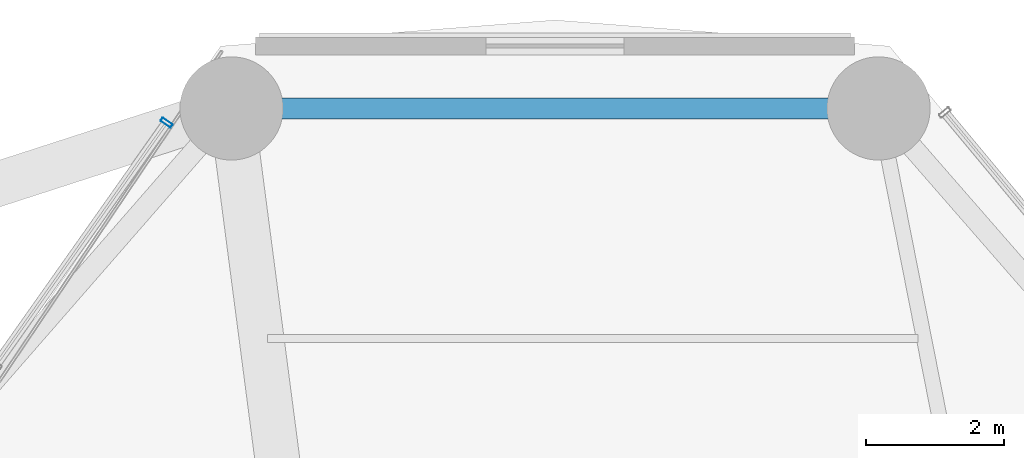
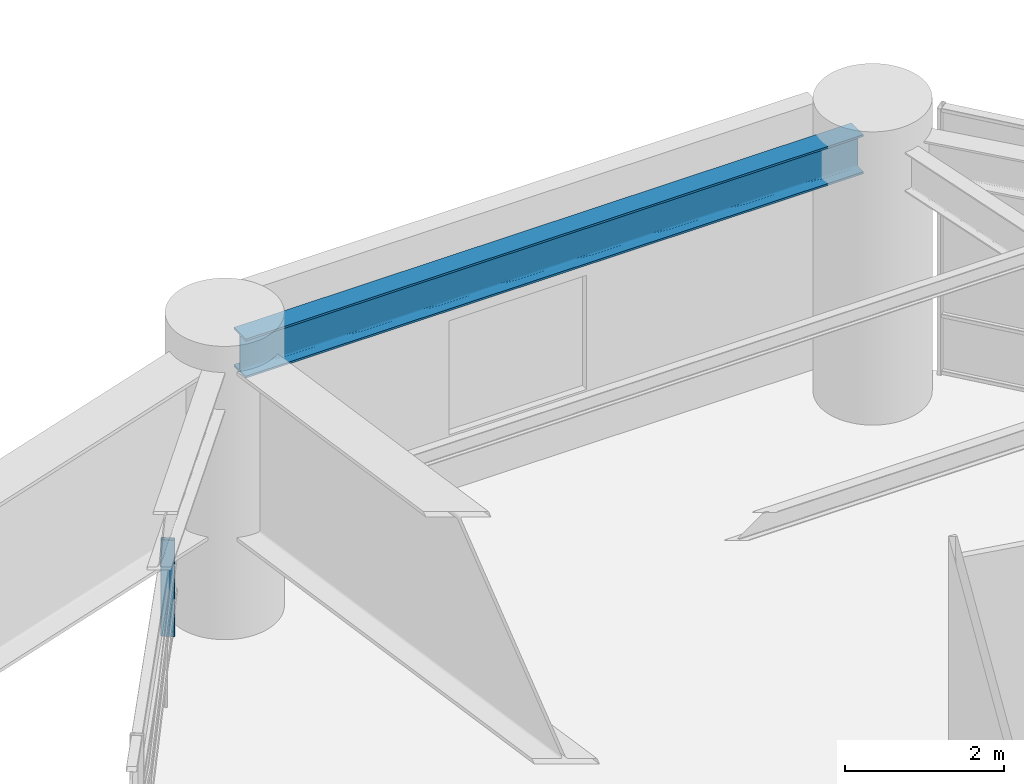
# One storey, part 35 of 53: 1 beam, 1 member, 1 element without a shape of its own.
"""IFC4 building model written with IfcOpenShell, lengths in metres."""

from ifc_helpers import new_model, si_unit, direction, frame, origin, origin_2d, place, context, subcontext, project, spatial, hollow_rectangle, i_section, extrude, material, layer, layer_set, material_profile, profile_set, type_object, element, aggregate, save


model = new_model("IFC4")

# Units and contexts
model_context = context("Model", 3, precision=1e-05, world=origin(), true_north=direction((0.0, 1.0)))
body_context = subcontext(model_context, "Body", "Model", "MODEL_VIEW")
ifc_project = project(units=[si_unit("LENGTHUNIT", "METRE"), si_unit("AREAUNIT", "SQUARE_METRE"), si_unit("VOLUMEUNIT", "CUBIC_METRE"), si_unit("PLANEANGLEUNIT", "RADIAN"), si_unit("MASSUNIT", "GRAM", prefix="KILO")], contexts=[model_context])

# Site, building, storey
site_placement = place(None, origin())
site = spatial("IfcSite", under=ifc_project, at=site_placement, CompositionType="ELEMENT")
building_placement = place(site_placement, origin())
building = spatial("IfcBuilding", under=site, at=building_placement, Name="Kelanora Arch Commons", CompositionType="ELEMENT")
storey_placement = place(building_placement, frame((0.0, 0.0, 9.0)))
storey = spatial("IfcBuildingStorey", under=building, at=storey_placement, Name="L02", CompositionType="ELEMENT", Elevation=9.0)

# Beam
ifc_material_1 = material(Name="Steel S355", Category="steel")
ifc_material_profile_1 = material_profile(ifc_material_1, i_section(OverallWidth=0.300048828125, OverallDepth=0.60009765625, WebThickness=0.015380859375, FlangeThickness=0.030029296875, FilletRadius=0.027099609375, at=origin_2d()), Name="HEB600")
ifc_profile_set_1 = profile_set([ifc_material_profile_1], Name="Steel S355")
beam_type = type_object("IfcBeamType", Name="BM-SPN-Z1", PredefinedType="SPANDREL", material=ifc_profile_set_1)
beam_placement = place(storey_placement, frame((78.482421875, 81.714111328125, 3.800048828125), z_axis=(-1.0, 0.0, 0.0), x_axis=(0.0, -1.0, 0.0)))
element("IfcBeam", 1, at=beam_placement, inside=storey, type_object=beam_type, Name="Perimeter Spandrel Beam BS-08 L02", PredefinedType="SPANDREL", context=body_context, shape_type="SweptSolid", body=[
    extrude(i_section(OverallWidth=0.300048828125, OverallDepth=0.60009765625, WebThickness=0.015380859375, FlangeThickness=0.030029296875, FilletRadius=0.027099609375, at=origin_2d()), origin(), (0.0, 0.0, 1.0), 8.96484375),
])

# Curtain wall, member
ifc_material_2 = material(Name="Terracotta ceramic-fritted low-E glass and aluminium", Category="masonry")
ifc_layer = layer(ifc_material_2, 0.2099609375)
ifc_layer_set = layer_set([ifc_layer], Name="Terracotta ceramic-fritted low-E glass and aluminium")
curtain_wall_type = type_object("IfcCurtainWallType", Name="CW-SYS-04", PredefinedType="NOTDEFINED", material=ifc_layer_set)
curtain_wall_placement = place(storey_placement, origin())
curtain_wall = element("IfcCurtainWall", 2, at=curtain_wall_placement, inside=storey, type_object=curtain_wall_type, Name="Unitised Curtain Wall L02-B05", PredefinedType="NOTDEFINED")
ifc_material_3 = material(Name="Powder-coated aluminium terracotta", Category="masonry")
ifc_material_profile_2 = material_profile(ifc_material_3, hollow_rectangle(XDim=0.179931640625, YDim=0.06005859375, WallThickness=0.0048828125, InnerFilletRadius=0.0048828125, OuterFilletRadius=0.010009765625, at=origin_2d()), Name="CWM180x60")
ifc_profile_set_2 = profile_set([ifc_material_profile_2], Name="Powder-coated aluminium terracotta")
member_type = type_object("IfcMemberType", Name="CWM-HVY", PredefinedType="MULLION", material=ifc_profile_set_2)
member_placement = place(storey_placement, frame((68.35302734375, 81.50732421875, 0.0), z_axis=(0.0, 0.0, 1.0), x_axis=(0.817206133555, -0.576345499922, 0.0)))
member = element("IfcMember", 3, at=member_placement, type_object=member_type, Name="CW-04 mullion 1", PredefinedType="MULLION", context=body_context, shape_type="SweptSolid", body=[
    extrude(hollow_rectangle(XDim=0.179931640625, YDim=0.06005859375, WallThickness=0.0048828125, InnerFilletRadius=0.0048828125, OuterFilletRadius=0.010009765625, at=origin_2d()), origin(), (0.0, 0.0, 1.0), 1.47998046875),
])
aggregate(curtain_wall, [member])

save(model, "model.ifc")
